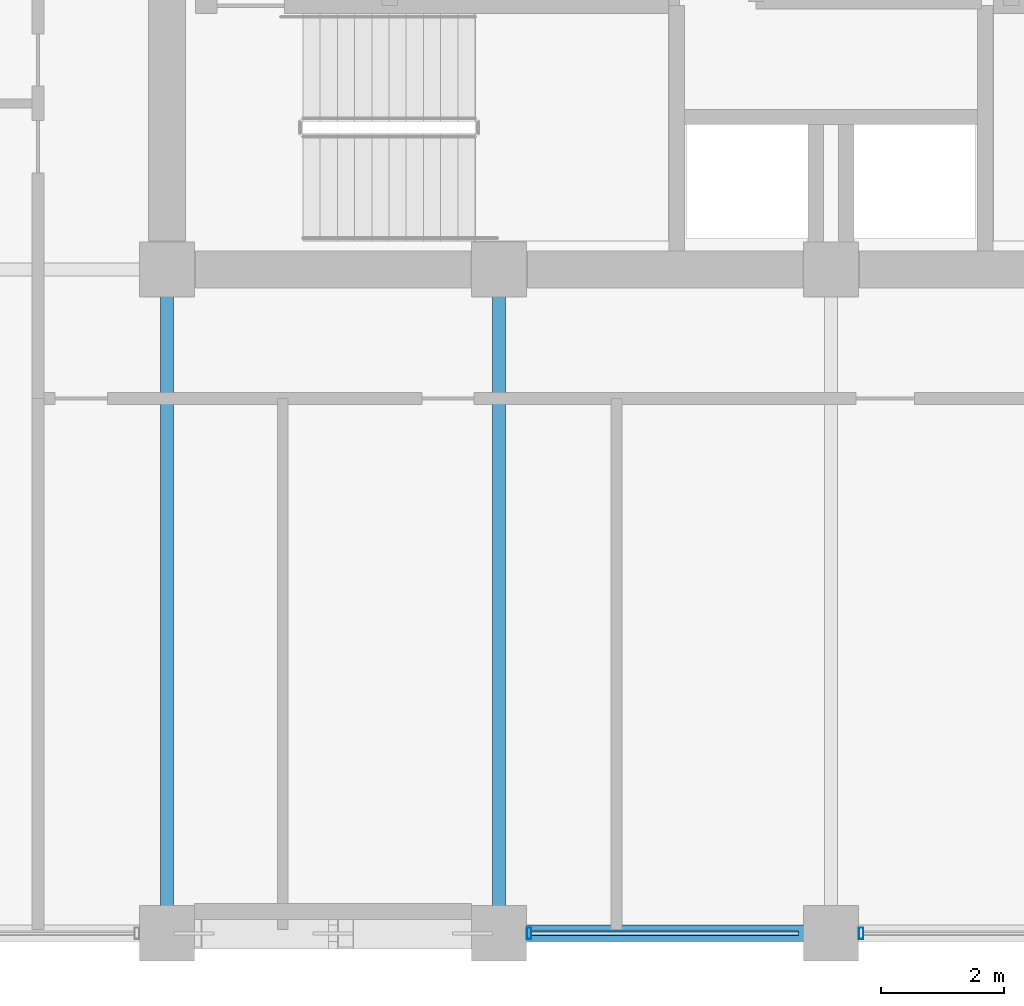
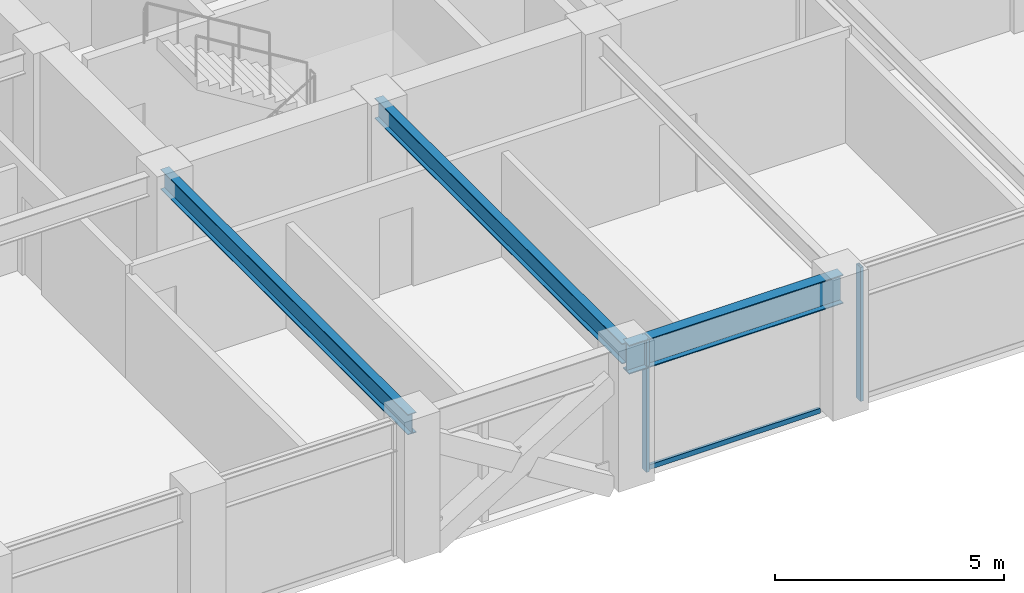
# One storey, part 6 of 32: 3 beams, 3 members, 1 element without a shape of its own.
"""IFC4 building model written with IfcOpenShell, lengths in metres."""

from ifc_helpers import new_model, si_unit, direction, frame, origin, origin_2d, place, context, subcontext, project, spatial, hollow_rectangle, i_section, extrude, material, layer, layer_set, material_profile, profile_set, type_object, element, aggregate, save


model = new_model("IFC4")

# Units and contexts
model_context = context("Model", 3, precision=1e-05, world=origin(), true_north=direction((0.0, 1.0)))
body_context = subcontext(model_context, "Body", "Model", "MODEL_VIEW")
ifc_project = project(units=[si_unit("LENGTHUNIT", "METRE"), si_unit("AREAUNIT", "SQUARE_METRE"), si_unit("VOLUMEUNIT", "CUBIC_METRE"), si_unit("PLANEANGLEUNIT", "RADIAN"), si_unit("MASSUNIT", "GRAM", prefix="KILO")], contexts=[model_context])

# Site, building, storey
site_placement = place(None, origin())
site = spatial("IfcSite", under=ifc_project, at=site_placement, CompositionType="ELEMENT")
building_placement = place(site_placement, origin())
building = spatial("IfcBuilding", under=site, at=building_placement, Name="Surkhivell Harbour Commons", CompositionType="ELEMENT")
storey_placement = place(building_placement, frame((0.0, 0.0, 208.5)))
storey = spatial("IfcBuildingStorey", under=building, at=storey_placement, Name="L54", CompositionType="ELEMENT", Elevation=208.5)

# Beams
ifc_material_1 = material(Name="Steel S355", Category="steel")
ifc_material_profile_1 = material_profile(ifc_material_1, i_section(OverallWidth=0.2119140625, OverallDepth=0.5439453125, WebThickness=0.0126953125, FlangeThickness=0.021240234375, at=origin_2d()), Name="UB533x210x122")
ifc_profile_set_1 = profile_set([ifc_material_profile_1], Name="Steel S355")
beam_type_1 = type_object("IfcBeamType", Name="BM-GRD-533A", PredefinedType="BEAM", material=ifc_profile_set_1)
for number, where, z_axis, x_axis, name in (
    (1, (-10.800048828125, -21.60009765625, 3.298095703125), (0.0, 1.0, 0.0), (-1.0, 0.0, 0.0), "L54 Floor Girder (-10.8,-21.6)"),
    (2, (-5.39990234375, -21.60009765625, 3.298095703125), (0.0, 1.0, 0.0), (-1.0, 0.0, 0.0), "L54 Floor Girder (-5.4,-21.6)"),
):
    element("IfcBeam", number, at=place(storey_placement, frame(where, z_axis=z_axis, x_axis=x_axis)), inside=storey, type_object=beam_type_1, Name=name, PredefinedType="BEAM", context=body_context, shape_type="SweptSolid", body=[
        extrude(i_section(OverallWidth=0.2119140625, OverallDepth=0.5439453125, WebThickness=0.0126953125, FlangeThickness=0.021240234375, at=origin_2d()), origin(), (0.0, 0.0, 1.0), 10.800048828125),
    ])
ifc_material_profile_2 = material_profile(ifc_material_1, i_section(OverallWidth=0.26806640625, OverallDepth=0.77001953125, WebThickness=0.015625, FlangeThickness=0.025390625, at=origin_2d()), Name="UB762x267x197")
ifc_profile_set_2 = profile_set([ifc_material_profile_2], Name="Steel S355")
beam_type_2 = type_object("IfcBeamType", Name="BM-SPN-762", PredefinedType="SPANDREL", material=ifc_profile_set_2)
beam_placement = place(storey_placement, frame((-5.39990234375, -21.60009765625, 3.18505859375), z_axis=(1.0, 0.0, 0.0), x_axis=(0.0, 1.0, 0.0)))
element("IfcBeam", 3, at=beam_placement, inside=storey, type_object=beam_type_2, Name="L54 Tube Spandrel (-5.4,-21.6)", PredefinedType="SPANDREL", context=body_context, shape_type="SweptSolid", body=[
    extrude(i_section(OverallWidth=0.26806640625, OverallDepth=0.77001953125, WebThickness=0.015625, FlangeThickness=0.025390625, at=origin_2d()), origin(), (0.0, 0.0, 1.0), 5.39990234375),
])

# Curtain wall, members
ifc_material_2 = material(Name="Anodised pale-metal aluminium and insulated glazing", Category="aluminium")
ifc_layer = layer(ifc_material_2, 0.18994140625)
ifc_layer_set = layer_set([ifc_layer], Name="Anodised pale-metal aluminium and insulated glazing")
curtain_wall_type = type_object("IfcCurtainWallType", Name="CW-SYS-Z3", PredefinedType="NOTDEFINED", material=ifc_layer_set)
curtain_wall_placement = place(storey_placement, origin())
curtain_wall = element("IfcCurtainWall", 4, at=curtain_wall_placement, inside=storey, type_object=curtain_wall_type, Name="L54 Curtain Wall CW-L54-E00S2", PredefinedType="NOTDEFINED")
ifc_material_3 = material(Name="Anodised pale-metal aluminium alloy 6063-T6", Category="aluminium")
ifc_material_profile_3 = material_profile(ifc_material_3, hollow_rectangle(XDim=0.074951171875, YDim=0.18994140625, WallThickness=0.00390625, at=origin_2d()), Name="ALU-MULL-75x190")
ifc_profile_set_3 = profile_set([ifc_material_profile_3], Name="Anodised pale-metal aluminium alloy 6063-T6")
member_type_1 = type_object("IfcMemberType", Name="CWM-190", PredefinedType="MULLION", material=ifc_profile_set_3)
member_1_placement = place(storey_placement, frame((-4.910400390625, -21.60009765625, 0.0), z_axis=(0.0, 0.0, 1.0), x_axis=(1.0, 0.0, 0.0)))
member_1 = element("IfcMember", 5, at=member_1_placement, type_object=member_type_1, Name="CW-Z3 mullion 1", PredefinedType="MULLION", context=body_context, shape_type="SweptSolid", body=[
    extrude(hollow_rectangle(XDim=0.074951171875, YDim=0.18994140625, WallThickness=0.00390625, at=origin_2d()), origin(), (0.0, 0.0, 1.0), 3.570068359375),
])
member_2_placement = place(storey_placement, frame((0.489501953125, -21.60009765625, 0.0), z_axis=(0.0, 0.0, 1.0), x_axis=(1.0, 0.0, 0.0)))
member_2 = element("IfcMember", 6, at=member_2_placement, type_object=member_type_1, Name="CW-Z3 mullion 2", PredefinedType="MULLION", context=body_context, shape_type="SweptSolid", body=[
    extrude(hollow_rectangle(XDim=0.074951171875, YDim=0.18994140625, WallThickness=0.00390625, at=origin_2d()), origin(), (0.0, 0.0, 1.0), 3.570068359375),
])
ifc_material_4 = material(Name="Champagne anodised aluminium alloy 6063-T6", Category="aluminium")
ifc_material_profile_4 = material_profile(ifc_material_4, hollow_rectangle(XDim=0.070068359375, YDim=0.1298828125, WallThickness=0.00341796875, at=origin_2d()), Name="ALU-TRAN-70x130")
ifc_profile_set_4 = profile_set([ifc_material_profile_4], Name="Champagne anodised aluminium alloy 6063-T6")
member_type_2 = type_object("IfcMemberType", Name="CWT-130", PredefinedType="USERDEFINED", material=ifc_profile_set_4)
member_3_placement = place(storey_placement, frame((-4.873046875, -21.60009765625, 0.06494140625), z_axis=(1.0, 0.0, 0.0), x_axis=(0.0, 1.0, 0.0)))
member_3 = element("IfcMember", 7, at=member_3_placement, type_object=member_type_2, Name="CW-Z3 transom 1.1", ObjectType="TRANSOM", PredefinedType="USERDEFINED", context=body_context, shape_type="SweptSolid", body=[
    extrude(hollow_rectangle(XDim=0.070068359375, YDim=0.1298828125, WallThickness=0.00341796875, at=origin_2d()), origin(), (0.0, 0.0, 1.0), 4.345947265625),
])
aggregate(curtain_wall, [member_1, member_3, member_2])

save(model, "model.ifc")
